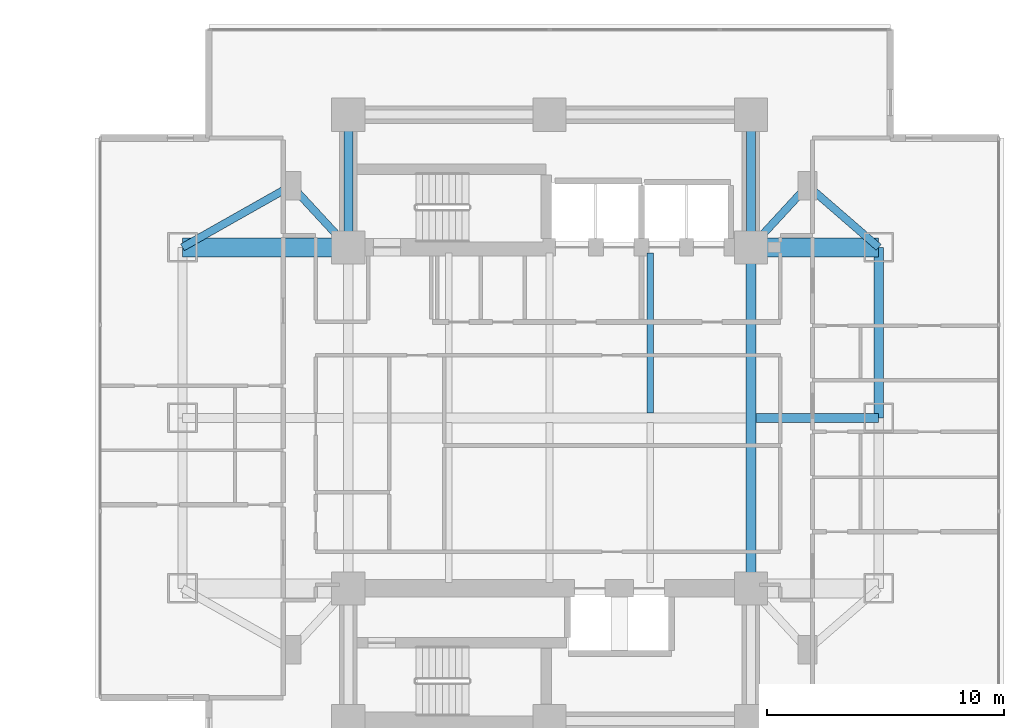
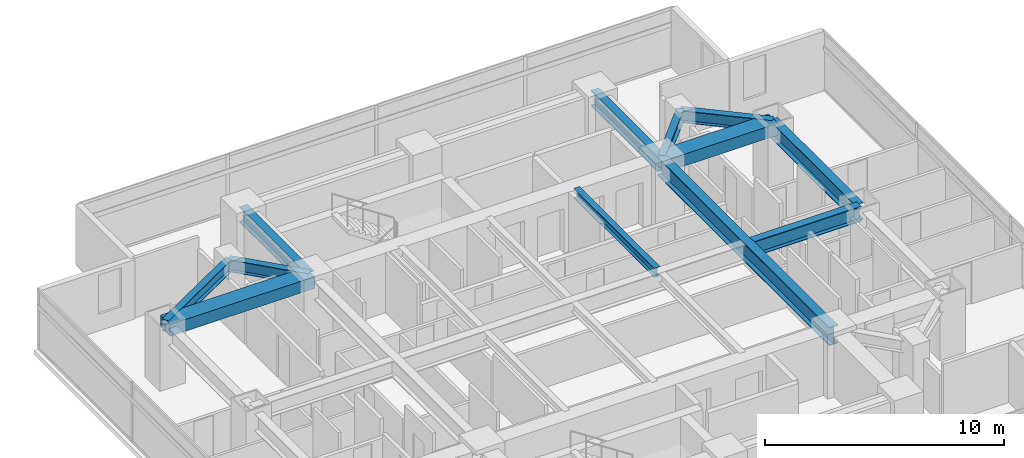
# One storey, part 10 of 26: 12 beams.
"""IFC4 building model written with IfcOpenShell, lengths in metres."""

from ifc_helpers import new_model, si_unit, direction, frame, origin, origin_2d, place, context, subcontext, project, spatial, rectangle, i_section, extrude, material, material_profile, profile_set, type_object, element, save


model = new_model("IFC4")

# Units and contexts
model_context = context("Model", 3, precision=1e-05, world=origin(), true_north=direction((0.0, 1.0)))
body_context = subcontext(model_context, "Body", "Model", "MODEL_VIEW")
ifc_project = project(units=[si_unit("LENGTHUNIT", "METRE"), si_unit("AREAUNIT", "SQUARE_METRE"), si_unit("VOLUMEUNIT", "CUBIC_METRE"), si_unit("PLANEANGLEUNIT", "RADIAN"), si_unit("MASSUNIT", "GRAM", prefix="KILO")], contexts=[model_context])

# Site, building, storey
site_placement = place(None, origin())
site = spatial("IfcSite", under=ifc_project, at=site_placement, CompositionType="ELEMENT")
building_placement = place(site_placement, origin())
building = spatial("IfcBuilding", under=site, at=building_placement, Name="Mirazonda Arch Towers", CompositionType="ELEMENT")
storey_placement = place(building_placement, frame((0.0, 0.0, 38.89990234375)))
storey = spatial("IfcBuildingStorey", under=building, at=storey_placement, Name="L10", CompositionType="ELEMENT", Elevation=38.89990234375)

# Beams
ifc_material_1 = material(Name="Steel ASTM A992 Grade 50", Category="steel")
ifc_material_profile_1 = material_profile(ifc_material_1, i_section(OverallWidth=0.39990234375, OverallDepth=0.85595703125, WebThickness=0.018310546875, FlangeThickness=0.029296875, at=origin_2d()), Name="W33X201")
ifc_profile_set_1 = profile_set([ifc_material_profile_1], Name="Steel ASTM A992 Grade 50")
beam_type_1 = type_object("IfcBeamType", Name="BM-EXT-W33X201", PredefinedType="USERDEFINED", material=ifc_profile_set_1)
beam_1_placement = place(storey_placement, frame((90.39990234375, 28.0, 2.632080078125), z_axis=(0.0, 1.0, 0.0), x_axis=(-1.0, 0.0, 0.0)))
element("IfcBeam", 1, at=beam_1_placement, inside=storey, type_object=beam_type_1, Name="L10 Floor Beam BM-T2-L10-NS-E-28", ObjectType="GIRDER", PredefinedType="USERDEFINED", context=body_context, shape_type="SweptSolid", body=[
    extrude(i_section(OverallWidth=0.39990234375, OverallDepth=0.85595703125, WebThickness=0.018310546875, FlangeThickness=0.029296875, at=origin_2d()), origin(), (0.0, 0.0, 1.0), 7.199951171875),
])
ifc_material_profile_2 = material_profile(ifc_material_1, i_section(OverallWidth=0.280029296875, OverallDepth=0.462890625, WebThickness=0.0107421875, FlangeThickness=0.017333984375, at=origin_2d()), Name="W18X76")
ifc_profile_set_2 = profile_set([ifc_material_profile_2], Name="Steel ASTM A992 Grade 50")
beam_type_2 = type_object("IfcBeamType", Name="BM-INT-W18X76", PredefinedType="JOIST", material=ifc_profile_set_2)
beam_2_placement = place(storey_placement, frame((80.75, 28.205078125, 2.82861328125), z_axis=(0.0, 1.0, 0.0), x_axis=(-1.0, 0.0, 0.0)))
element("IfcBeam", 2, at=beam_2_placement, inside=storey, type_object=beam_type_2, Name="L10 Floor Beam BM-T2-L10-J-807-28", PredefinedType="JOIST", context=body_context, shape_type="SweptSolid", body=[
    extrude(i_section(OverallWidth=0.280029296875, OverallDepth=0.462890625, WebThickness=0.0107421875, FlangeThickness=0.017333984375, at=origin_2d()), origin(), (0.0, 0.0, 1.0), 6.7548828125),
])
ifc_material_profile_3 = material_profile(ifc_material_1, i_section(OverallWidth=0.324951171875, OverallDepth=0.615966796875, WebThickness=0.013916015625, FlangeThickness=0.021484375, at=origin_2d()), Name="W24X117")
ifc_profile_set_3 = profile_set([ifc_material_profile_3], Name="Steel ASTM A992 Grade 50")
beam_type_3 = type_object("IfcBeamType", Name="BM-INT-W24X117", PredefinedType="BEAM", material=ifc_profile_set_3)
beam_3_placement = place(storey_placement, frame((65.60009765625, 37.800048828125, 2.752197265625), z_axis=(0.678251444854, -0.734829897019, 0.0), x_axis=(0.734829897019, 0.678251444854, 0.0)))
element("IfcBeam", 3, at=beam_3_placement, inside=storey, type_object=beam_type_3, Name="L10 Floor Beam BM-T2-L10-PL-NW1", PredefinedType="BEAM", context=body_context, shape_type="SweptSolid", body=[
    extrude(i_section(OverallWidth=0.324951171875, OverallDepth=0.615966796875, WebThickness=0.013916015625, FlangeThickness=0.021484375, at=origin_2d()), origin(), (0.0, 0.0, 1.0), 3.538330078125),
])
beam_4_placement = place(storey_placement, frame((65.60009765625, 37.800048828125, 2.752197265625), z_axis=(-0.870559396632, -0.492063346467, 0.0), x_axis=(0.492063346467, -0.870559396632, 0.0)))
element("IfcBeam", 4, at=beam_4_placement, inside=storey, type_object=beam_type_3, Name="L10 Floor Beam BM-T2-L10-PL-NW2", PredefinedType="BEAM", context=body_context, shape_type="SweptSolid", body=[
    extrude(i_section(OverallWidth=0.324951171875, OverallDepth=0.615966796875, WebThickness=0.013916015625, FlangeThickness=0.021484375, at=origin_2d()), origin(), (0.0, 0.0, 1.0), 5.2841796875),
])
beam_5_placement = place(storey_placement, frame((87.39990234375, 37.800048828125, 2.752197265625), z_axis=(-0.678251444854, -0.734829897019, 0.0), x_axis=(0.734829897019, -0.678251444854, 0.0)))
element("IfcBeam", 5, at=beam_5_placement, inside=storey, type_object=beam_type_3, Name="L10 Floor Beam BM-T2-L10-PL-NE1", PredefinedType="BEAM", context=body_context, shape_type="SweptSolid", body=[
    extrude(i_section(OverallWidth=0.324951171875, OverallDepth=0.615966796875, WebThickness=0.013916015625, FlangeThickness=0.021484375, at=origin_2d()), origin(), (0.0, 0.0, 1.0), 3.538330078125),
])
beam_6_placement = place(storey_placement, frame((87.39990234375, 37.800048828125, 2.752197265625), z_axis=(0.755676908098, -0.654944585876, 0.0), x_axis=(0.654944585876, 0.755676908098, 0.0)))
element("IfcBeam", 6, at=beam_6_placement, inside=storey, type_object=beam_type_3, Name="L10 Floor Beam BM-T2-L10-PL-NE2", PredefinedType="BEAM", context=body_context, shape_type="SweptSolid", body=[
    extrude(i_section(OverallWidth=0.324951171875, OverallDepth=0.615966796875, WebThickness=0.013916015625, FlangeThickness=0.021484375, at=origin_2d()), origin(), (0.0, 0.0, 1.0), 3.969970703125),
])
ifc_material_profile_4 = material_profile(ifc_material_1, i_section(OverallWidth=0.381103515625, OverallDepth=0.77294921875, WebThickness=0.0166015625, FlangeThickness=0.027099609375, at=origin_2d()), Name="W30X173")
ifc_profile_set_4 = profile_set([ifc_material_profile_4], Name="Steel ASTM A992 Grade 50")
beam_type_4 = type_object("IfcBeamType", Name="BM-INT-W30X173", PredefinedType="USERDEFINED", material=ifc_profile_set_4)
for number, where, z_axis, x_axis, name in (
    (7, (68.0, 35.199951171875, 2.673583984375), (0.0, 1.0, 0.0), (-1.0, 0.0, 0.0), "L10 Floor Beam BM-T2-L10-CNW"),
    (8, (85.0, 35.199951171875, 2.673583984375), (0.0, 1.0, 0.0), (-1.0, 0.0, 0.0), "L10 Floor Beam BM-T2-L10-CNE"),
):
    element("IfcBeam", number, at=place(storey_placement, frame(where, z_axis=z_axis, x_axis=x_axis)), inside=storey, type_object=beam_type_4, Name=name, ObjectType="GIRDER", PredefinedType="USERDEFINED", context=body_context, shape_type="SweptSolid", body=[
        extrude(i_section(OverallWidth=0.381103515625, OverallDepth=0.77294921875, WebThickness=0.0166015625, FlangeThickness=0.027099609375, at=origin_2d()), origin(), (0.0, 0.0, 1.0), 5.60009765625),
    ])
beam_7_placement = place(storey_placement, frame((85.208984375, 28.0, 2.673583984375), z_axis=(1.0, 0.0, 0.0), x_axis=(0.0, 1.0, 0.0)))
element("IfcBeam", 9, at=beam_7_placement, inside=storey, type_object=beam_type_4, Name="L10 Floor Beam BM-T2-L10-GE2", ObjectType="GIRDER", PredefinedType="USERDEFINED", context=body_context, shape_type="SweptSolid", body=[
    extrude(i_section(OverallWidth=0.381103515625, OverallDepth=0.77294921875, WebThickness=0.0166015625, FlangeThickness=0.027099609375, at=origin_2d()), origin(), (0.0, 0.0, 1.0), 5.19091796875),
])
ifc_material_profile_5 = material_profile(ifc_material_1, i_section(OverallWidth=0.41796875, OverallDepth=0.927001953125, WebThickness=0.019287109375, FlangeThickness=0.031982421875, at=origin_2d()), Name="W36X231")
ifc_profile_set_5 = profile_set([ifc_material_profile_5], Name="Steel ASTM A992 Grade 50")
beam_type_5 = type_object("IfcBeamType", Name="BM-INT-W36X231", PredefinedType="USERDEFINED", material=ifc_profile_set_5)
beam_8_placement = place(storey_placement, frame((85.0, 20.800048828125, 2.5966796875), z_axis=(0.0, 1.0, 0.0), x_axis=(-1.0, 0.0, 0.0)))
element("IfcBeam", 10, at=beam_8_placement, inside=storey, type_object=beam_type_5, Name="L10 Floor Beam BM-T2-L10-NS-CE-FULL", ObjectType="GIRDER", PredefinedType="USERDEFINED", context=body_context, shape_type="SweptSolid", body=[
    extrude(i_section(OverallWidth=0.41796875, OverallDepth=0.927001953125, WebThickness=0.019287109375, FlangeThickness=0.031982421875, at=origin_2d()), origin(), (0.0, 0.0, 1.0), 14.39990234375),
])
ifc_material_2 = material(Name="Concrete C60/75", Category="concrete")
ifc_material_profile_6 = material_profile(ifc_material_2, rectangle(XDim=0.800048828125, YDim=0.60009765625, at=origin_2d()), Name="RCCB800x600")
ifc_profile_set_6 = profile_set([ifc_material_profile_6], Name="Concrete C60/75")
beam_type_6 = type_object("IfcBeamType", Name="CB-INT-RCCB800x600", PredefinedType="SPANDREL", material=ifc_profile_set_6)
beam_9_placement = place(storey_placement, frame((61.0, 35.199951171875, 2.760009765625), z_axis=(1.0, 0.0, 0.0), x_axis=(0.0, 1.0, 0.0)))
element("IfcBeam", 11, at=beam_9_placement, inside=storey, type_object=beam_type_6, Name="L10 Floor Beam CBC-T2-L10-NW", PredefinedType="SPANDREL", context=body_context, shape_type="SweptSolid", body=[
    extrude(rectangle(XDim=0.800048828125, YDim=0.60009765625, at=origin_2d()), origin(), (0.0, 0.0, 1.0), 7.0),
])
beam_10_placement = place(storey_placement, frame((85.0, 35.199951171875, 2.760009765625), z_axis=(1.0, 0.0, 0.0), x_axis=(0.0, 1.0, 0.0)))
element("IfcBeam", 12, at=beam_10_placement, inside=storey, type_object=beam_type_6, Name="L10 Floor Beam CBC-T2-L10-NE", PredefinedType="SPANDREL", context=body_context, shape_type="SweptSolid", body=[
    extrude(rectangle(XDim=0.800048828125, YDim=0.60009765625, at=origin_2d()), origin(), (0.0, 0.0, 1.0), 5.39990234375),
])

save(model, "model.ifc")
